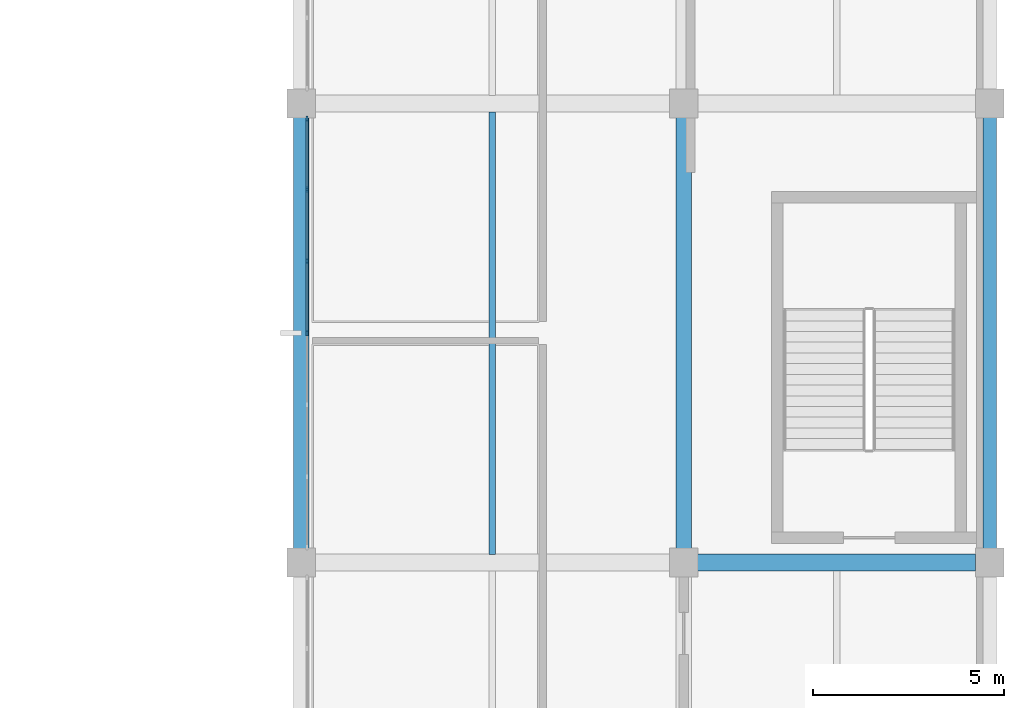
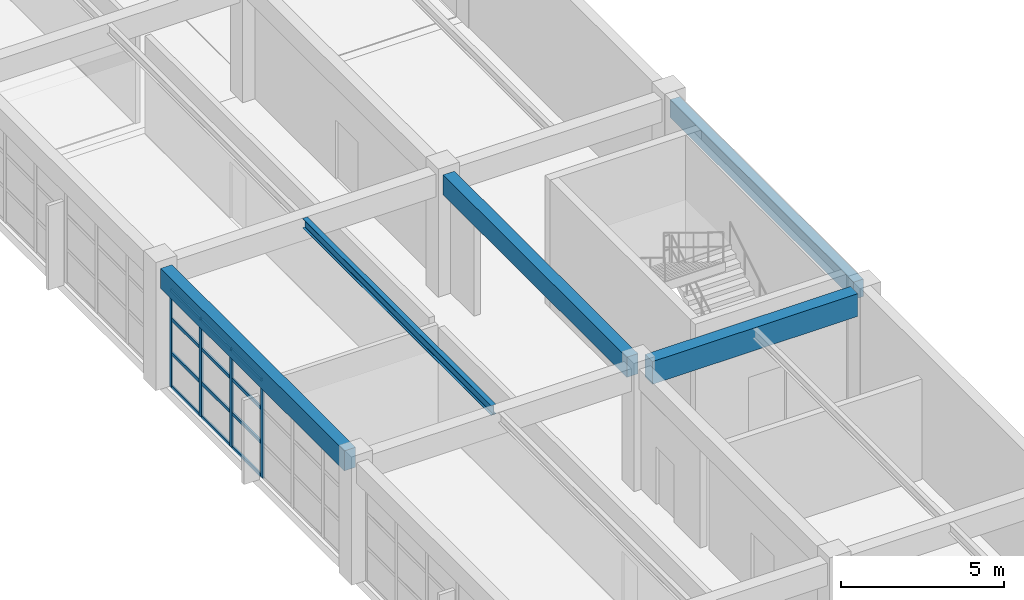
# One storey, part 55 of 109: 16 members, 5 beams, 1 element without a shape of its own.
"""IFC4 building model written with IfcOpenShell, lengths in metres."""

from ifc_helpers import new_model, si_unit, direction, frame, origin, origin_2d, place, context, subcontext, project, spatial, rectangle, i_section, extrude, material, layer, layer_set, material_profile, profile_set, type_object, element, aggregate, save


model = new_model("IFC4")

# Units and contexts
model_context = context("Model", 3, precision=1e-05, world=origin(), true_north=direction((0.0, 1.0)))
body_context = subcontext(model_context, "Body", "Model", "MODEL_VIEW")
ifc_project = project(units=[si_unit("LENGTHUNIT", "METRE"), si_unit("AREAUNIT", "SQUARE_METRE"), si_unit("VOLUMEUNIT", "CUBIC_METRE"), si_unit("PLANEANGLEUNIT", "RADIAN"), si_unit("MASSUNIT", "GRAM", prefix="KILO")], contexts=[model_context])

# Site, building, storey
site_placement = place(None, origin())
site = spatial("IfcSite", under=ifc_project, at=site_placement, CompositionType="ELEMENT")
building_placement = place(site_placement, origin())
building = spatial("IfcBuilding", under=site, at=building_placement, Name="Kivolera Central Railway Station", CompositionType="ELEMENT")
storey_placement = place(building_placement, frame((0.0, 0.0, 9.60009765625)))
storey = spatial("IfcBuildingStorey", under=building, at=storey_placement, Name="L02", CompositionType="ELEMENT", Elevation=9.60009765625)

# Beams
ifc_material_1 = material(Name="Steel S355", Category="steel")
ifc_material_profile_1 = material_profile(ifc_material_1, i_section(OverallWidth=0.169921875, OverallDepth=0.360107421875, WebThickness=0.008056640625, FlangeThickness=0.0126953125, FilletRadius=0.01806640625, at=origin_2d()), Name="IPE 360")
ifc_profile_set_1 = profile_set([ifc_material_profile_1], Name="Steel S355")
beam_type_1 = type_object("IfcBeamType", Name="BM-JST-IPE360", PredefinedType="JOIST", material=ifc_profile_set_1)
beam_1_placement = place(storey_placement, frame((183.0, 90.217041015625, 4.327880859375), z_axis=(0.0, 1.0, 0.0), x_axis=(-1.0, 0.0, 0.0)))
element("IfcBeam", 1, at=beam_1_placement, inside=storey, type_object=beam_type_1, Name="L02 Floor Joist 18-19/H-J", PredefinedType="JOIST", context=body_context, shape_type="SweptSolid", body=[
    extrude(i_section(OverallWidth=0.169921875, OverallDepth=0.360107421875, WebThickness=0.008056640625, FlangeThickness=0.0126953125, FilletRadius=0.01806640625, at=origin_2d()), origin(), (0.0, 0.0, 1.0), 11.56591796875),
])
ifc_material_2 = material(Name="Concrete C40/50", Category="concrete")
ifc_material_profile_2 = material_profile(ifc_material_2, rectangle(XDim=0.39990234375, YDim=0.75, at=origin_2d()), Name="RC 400x750")
ifc_profile_set_2 = profile_set([ifc_material_profile_2], Name="Concrete C40/50")
beam_type_2 = type_object("IfcBeamType", Name="BM-RC-400x750", PredefinedType="BEAM", material=ifc_profile_set_2)
for number, where, z_axis, x_axis, name in (
    (2, (178.0, 90.366943359375, 4.14501953125), (0.0, 1.0, 0.0), (-1.0, 0.0, 0.0), "L02 Wing Y-Beam 18:H-J"),
    (3, (188.0, 90.366943359375, 4.14501953125), (0.0, 1.0, 0.0), (-1.0, 0.0, 0.0), "L02 Wing Y-Beam 19:H-J"),
):
    element("IfcBeam", number, at=place(storey_placement, frame(where, z_axis=z_axis, x_axis=x_axis)), inside=storey, type_object=beam_type_2, Name=name, PredefinedType="BEAM", context=body_context, shape_type="SweptSolid", body=[
        extrude(rectangle(XDim=0.39990234375, YDim=0.75, at=origin_2d()), origin(), (0.0, 0.0, 1.0), 11.26611328125),
    ])
ifc_material_profile_3 = material_profile(ifc_material_2, rectangle(XDim=0.449951171875, YDim=0.85009765625, at=origin_2d()), Name="RC 450x850")
ifc_profile_set_3 = profile_set([ifc_material_profile_3], Name="Concrete C40/50")
beam_type_3 = type_object("IfcBeamType", Name="BM-RC-450x850", PredefinedType="BEAM", material=ifc_profile_set_3)
beam_2_placement = place(storey_placement, frame((188.366943359375, 90.0, 4.094970703125), z_axis=(1.0, 0.0, 0.0), x_axis=(0.0, 1.0, 0.0)))
element("IfcBeam", 4, at=beam_2_placement, inside=storey, type_object=beam_type_3, Name="L02 Wing X-Beam H:19-20", PredefinedType="BEAM", context=body_context, shape_type="SweptSolid", body=[
    extrude(rectangle(XDim=0.449951171875, YDim=0.85009765625, at=origin_2d()), origin(), (0.0, 0.0, 1.0), 7.26611328125),
])
ifc_material_profile_4 = material_profile(ifc_material_2, rectangle(XDim=0.35009765625, YDim=0.64990234375, at=origin_2d()), Name="RC 350x650")
ifc_profile_set_4 = profile_set([ifc_material_profile_4], Name="Concrete C40/50")
beam_type_4 = type_object("IfcBeamType", Name="BM-SPN-RC650", PredefinedType="SPANDREL", material=ifc_profile_set_4)
beam_3_placement = place(storey_placement, frame((196.0, 90.366943359375, 4.19482421875), z_axis=(0.0, 1.0, 0.0), x_axis=(-1.0, 0.0, 0.0)))
element("IfcBeam", 5, at=beam_3_placement, inside=storey, type_object=beam_type_4, Name="L02 Wing Y-Beam 20:H-J", PredefinedType="SPANDREL", context=body_context, shape_type="SweptSolid", body=[
    extrude(rectangle(XDim=0.35009765625, YDim=0.64990234375, at=origin_2d()), origin(), (0.0, 0.0, 1.0), 11.26611328125),
])

# Curtain wall, members
ifc_material_3 = material(Name="Anodised aluminium", Category="aluminium")
ifc_layer = layer(ifc_material_3, 0.179931640625, Name="Anodised aluminium")
ifc_layer_set = layer_set([ifc_layer], Name="Anodised aluminium")
curtain_wall_type = type_object("IfcCurtainWallType", Name="CW-SYS-28", PredefinedType="NOTDEFINED", material=ifc_layer_set)
curtain_wall_placement = place(storey_placement, origin())
curtain_wall = element("IfcCurtainWall", 6, at=curtain_wall_placement, inside=storey, type_object=curtain_wall_type, Name="L02 Curtain Wall CW-L02-CRTE-H", PredefinedType="NOTDEFINED")
ifc_material_profile_5 = material_profile(ifc_material_3, rectangle(XDim=0.06005859375, YDim=0.14990234375, at=origin_2d()), Name="ALU MULL 60x150")
ifc_profile_set_5 = profile_set([ifc_material_profile_5], Name="Anodised aluminium")
member_type_1 = type_object("IfcMemberType", Name="CWM-MUL-2", PredefinedType="MULLION", material=ifc_profile_set_5)
member_1_placement = place(storey_placement, frame((178.153076171875, 96.0, -0.005126953125), z_axis=(0.0, 0.0, 1.0), x_axis=(-1.0, 0.0, 0.0)))
member_1 = element("IfcMember", 7, at=member_1_placement, type_object=member_type_1, Name="CW-28 mullion 4", PredefinedType="MULLION", context=body_context, shape_type="SweptSolid", body=[
    extrude(rectangle(XDim=0.06005859375, YDim=0.14990234375, at=origin_2d()), origin(), (0.0, 0.0, 1.0), 3.6630859375),
])
member_2_placement = place(storey_placement, frame((178.153076171875, 97.876708984375, -0.005126953125), z_axis=(0.0, 0.0, 1.0), x_axis=(-1.0, 0.0, 0.0)))
member_2 = element("IfcMember", 8, at=member_2_placement, type_object=member_type_1, Name="CW-28 mullion 5", PredefinedType="MULLION", context=body_context, shape_type="SweptSolid", body=[
    extrude(rectangle(XDim=0.06005859375, YDim=0.14990234375, at=origin_2d()), origin(), (0.0, 0.0, 1.0), 3.6630859375),
])
member_3_placement = place(storey_placement, frame((178.153076171875, 99.75341796875, -0.005126953125), z_axis=(0.0, 0.0, 1.0), x_axis=(-1.0, 0.0, 0.0)))
member_3 = element("IfcMember", 9, at=member_3_placement, type_object=member_type_1, Name="CW-28 mullion 6", PredefinedType="MULLION", context=body_context, shape_type="SweptSolid", body=[
    extrude(rectangle(XDim=0.06005859375, YDim=0.14990234375, at=origin_2d()), origin(), (0.0, 0.0, 1.0), 3.6630859375),
])
member_4_placement = place(storey_placement, frame((178.153076171875, 101.60009765625, -0.005126953125), z_axis=(0.0, 0.0, 1.0), x_axis=(-1.0, 0.0, 0.0)))
member_4 = element("IfcMember", 10, at=member_4_placement, type_object=member_type_1, Name="CW-28 mullion 7", PredefinedType="MULLION", context=body_context, shape_type="SweptSolid", body=[
    extrude(rectangle(XDim=0.06005859375, YDim=0.14990234375, at=origin_2d()), origin(), (0.0, 0.0, 1.0), 3.6630859375),
])
ifc_material_profile_6 = material_profile(ifc_material_3, rectangle(XDim=0.06005859375, YDim=0.1201171875, at=origin_2d()), Name="ALU TRAN 60x120")
ifc_profile_set_6 = profile_set([ifc_material_profile_6], Name="Anodised aluminium")
member_type_2 = type_object("IfcMemberType", Name="CWM-TRN-2", PredefinedType="USERDEFINED", material=ifc_profile_set_6)
member_5_placement = place(storey_placement, frame((178.153076171875, 96.030029296875, 0.02978515625), z_axis=(0.0, 1.0, 0.0), x_axis=(-1.0, 0.0, 0.0)))
member_5 = element("IfcMember", 11, at=member_5_placement, type_object=member_type_2, Name="CW-28 transom 4.1", ObjectType="TRANSOM", PredefinedType="USERDEFINED", context=body_context, shape_type="SweptSolid", body=[
    extrude(rectangle(XDim=0.06005859375, YDim=0.1201171875, at=origin_2d()), origin(), (0.0, 0.0, 1.0), 1.816650390625),
])
member_6_placement = place(storey_placement, frame((178.153076171875, 96.030029296875, 1.2802734375), z_axis=(0.0, 1.0, 0.0), x_axis=(-1.0, 0.0, 0.0)))
member_6 = element("IfcMember", 12, at=member_6_placement, type_object=member_type_2, Name="CW-28 transom 4.2", ObjectType="TRANSOM", PredefinedType="USERDEFINED", context=body_context, shape_type="SweptSolid", body=[
    extrude(rectangle(XDim=0.06005859375, YDim=0.1201171875, at=origin_2d()), origin(), (0.0, 0.0, 1.0), 1.816650390625),
])
member_7_placement = place(storey_placement, frame((178.153076171875, 96.030029296875, 2.560546875), z_axis=(0.0, 1.0, 0.0), x_axis=(-1.0, 0.0, 0.0)))
member_7 = element("IfcMember", 13, at=member_7_placement, type_object=member_type_2, Name="CW-28 transom 4.3", ObjectType="TRANSOM", PredefinedType="USERDEFINED", context=body_context, shape_type="SweptSolid", body=[
    extrude(rectangle(XDim=0.06005859375, YDim=0.1201171875, at=origin_2d()), origin(), (0.0, 0.0, 1.0), 1.816650390625),
])
member_8_placement = place(storey_placement, frame((178.153076171875, 96.030029296875, 3.6279296875), z_axis=(0.0, 1.0, 0.0), x_axis=(-1.0, 0.0, 0.0)))
member_8 = element("IfcMember", 14, at=member_8_placement, type_object=member_type_2, Name="CW-28 transom 4.4", ObjectType="TRANSOM", PredefinedType="USERDEFINED", context=body_context, shape_type="SweptSolid", body=[
    extrude(rectangle(XDim=0.06005859375, YDim=0.1201171875, at=origin_2d()), origin(), (0.0, 0.0, 1.0), 1.816650390625),
])
member_9_placement = place(storey_placement, frame((178.153076171875, 97.90673828125, 0.02978515625), z_axis=(0.0, 1.0, 0.0), x_axis=(-1.0, 0.0, 0.0)))
member_9 = element("IfcMember", 15, at=member_9_placement, type_object=member_type_2, Name="CW-28 transom 5.1", ObjectType="TRANSOM", PredefinedType="USERDEFINED", context=body_context, shape_type="SweptSolid", body=[
    extrude(rectangle(XDim=0.06005859375, YDim=0.1201171875, at=origin_2d()), origin(), (0.0, 0.0, 1.0), 1.816650390625),
])
member_10_placement = place(storey_placement, frame((178.153076171875, 97.90673828125, 1.2802734375), z_axis=(0.0, 1.0, 0.0), x_axis=(-1.0, 0.0, 0.0)))
member_10 = element("IfcMember", 16, at=member_10_placement, type_object=member_type_2, Name="CW-28 transom 5.2", ObjectType="TRANSOM", PredefinedType="USERDEFINED", context=body_context, shape_type="SweptSolid", body=[
    extrude(rectangle(XDim=0.06005859375, YDim=0.1201171875, at=origin_2d()), origin(), (0.0, 0.0, 1.0), 1.816650390625),
])
member_11_placement = place(storey_placement, frame((178.153076171875, 97.90673828125, 2.560546875), z_axis=(0.0, 1.0, 0.0), x_axis=(-1.0, 0.0, 0.0)))
member_11 = element("IfcMember", 17, at=member_11_placement, type_object=member_type_2, Name="CW-28 transom 5.3", ObjectType="TRANSOM", PredefinedType="USERDEFINED", context=body_context, shape_type="SweptSolid", body=[
    extrude(rectangle(XDim=0.06005859375, YDim=0.1201171875, at=origin_2d()), origin(), (0.0, 0.0, 1.0), 1.816650390625),
])
member_12_placement = place(storey_placement, frame((178.153076171875, 97.90673828125, 3.6279296875), z_axis=(0.0, 1.0, 0.0), x_axis=(-1.0, 0.0, 0.0)))
member_12 = element("IfcMember", 18, at=member_12_placement, type_object=member_type_2, Name="CW-28 transom 5.4", ObjectType="TRANSOM", PredefinedType="USERDEFINED", context=body_context, shape_type="SweptSolid", body=[
    extrude(rectangle(XDim=0.06005859375, YDim=0.1201171875, at=origin_2d()), origin(), (0.0, 0.0, 1.0), 1.816650390625),
])
member_13_placement = place(storey_placement, frame((178.153076171875, 99.783447265625, 0.02978515625), z_axis=(0.0, 1.0, 0.0), x_axis=(-1.0, 0.0, 0.0)))
member_13 = element("IfcMember", 19, at=member_13_placement, type_object=member_type_2, Name="CW-28 transom 6.1", ObjectType="TRANSOM", PredefinedType="USERDEFINED", context=body_context, shape_type="SweptSolid", body=[
    extrude(rectangle(XDim=0.06005859375, YDim=0.1201171875, at=origin_2d()), origin(), (0.0, 0.0, 1.0), 1.78662109375),
])
member_14_placement = place(storey_placement, frame((178.153076171875, 99.783447265625, 1.2802734375), z_axis=(0.0, 1.0, 0.0), x_axis=(-1.0, 0.0, 0.0)))
member_14 = element("IfcMember", 20, at=member_14_placement, type_object=member_type_2, Name="CW-28 transom 6.2", ObjectType="TRANSOM", PredefinedType="USERDEFINED", context=body_context, shape_type="SweptSolid", body=[
    extrude(rectangle(XDim=0.06005859375, YDim=0.1201171875, at=origin_2d()), origin(), (0.0, 0.0, 1.0), 1.78662109375),
])
member_15_placement = place(storey_placement, frame((178.153076171875, 99.783447265625, 2.560546875), z_axis=(0.0, 1.0, 0.0), x_axis=(-1.0, 0.0, 0.0)))
member_15 = element("IfcMember", 21, at=member_15_placement, type_object=member_type_2, Name="CW-28 transom 6.3", ObjectType="TRANSOM", PredefinedType="USERDEFINED", context=body_context, shape_type="SweptSolid", body=[
    extrude(rectangle(XDim=0.06005859375, YDim=0.1201171875, at=origin_2d()), origin(), (0.0, 0.0, 1.0), 1.78662109375),
])
member_16_placement = place(storey_placement, frame((178.153076171875, 99.783447265625, 3.6279296875), z_axis=(0.0, 1.0, 0.0), x_axis=(-1.0, 0.0, 0.0)))
member_16 = element("IfcMember", 22, at=member_16_placement, type_object=member_type_2, Name="CW-28 transom 6.4", ObjectType="TRANSOM", PredefinedType="USERDEFINED", context=body_context, shape_type="SweptSolid", body=[
    extrude(rectangle(XDim=0.06005859375, YDim=0.1201171875, at=origin_2d()), origin(), (0.0, 0.0, 1.0), 1.78662109375),
])
aggregate(curtain_wall, [member_1, member_2, member_3, member_4, member_5, member_6, member_7, member_8, member_9, member_10, member_11, member_12, member_13, member_14, member_15, member_16])

save(model, "model.ifc")
